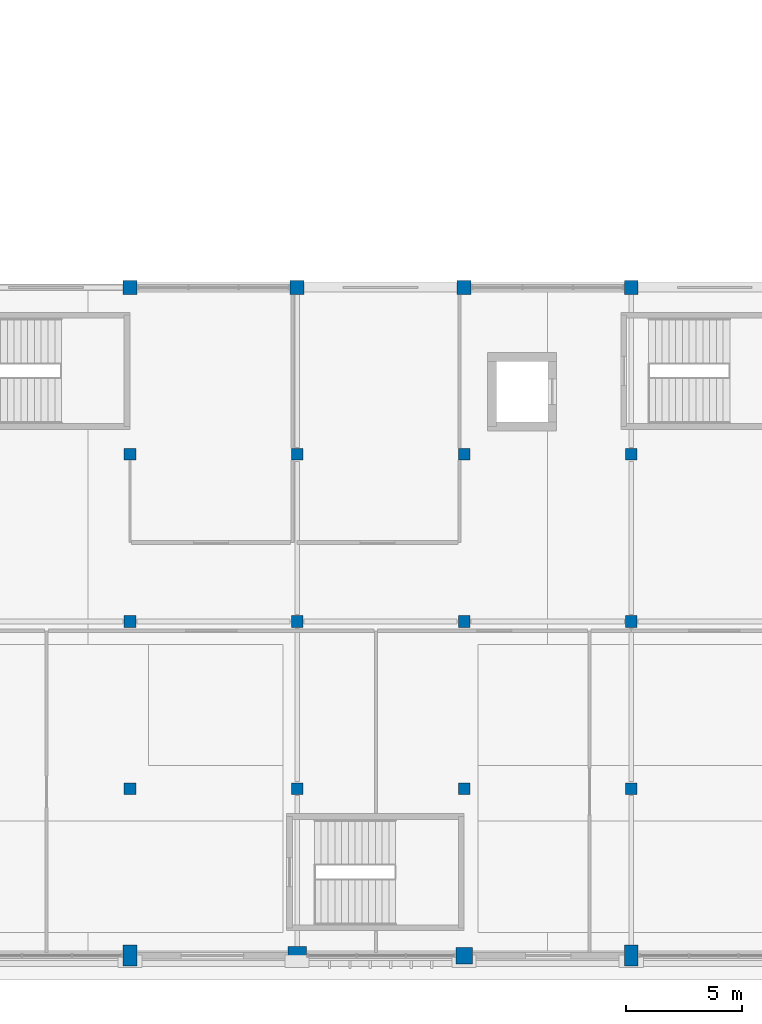
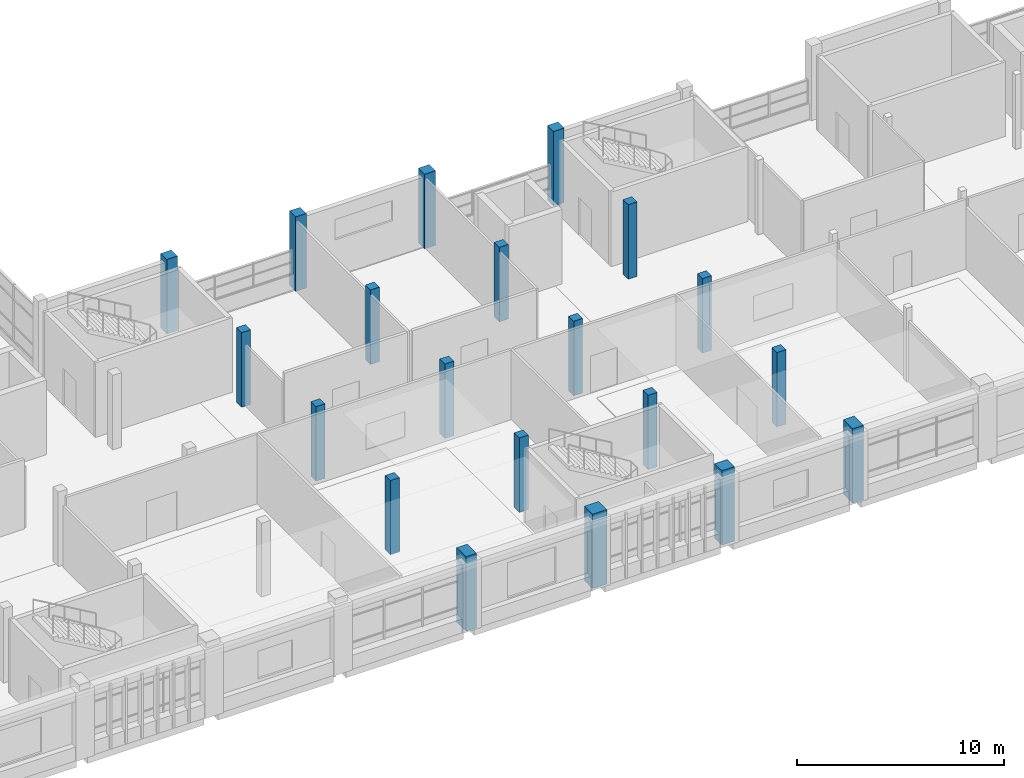
# One storey, part 2 of 71: 20 columns.
"""IFC4 building model written with IfcOpenShell, lengths in metres."""

from ifc_helpers import new_model, si_unit, direction, frame, origin, origin_2d, place, context, subcontext, project, spatial, rectangle, extrude, material, material_profile, profile_set, type_object, element, save


model = new_model("IFC4")

# Units and contexts
model_context = context("Model", 3, precision=1e-05, world=origin(), true_north=direction((0.0, 1.0)))
body_context = subcontext(model_context, "Body", "Model", "MODEL_VIEW")
ifc_project = project(units=[si_unit("LENGTHUNIT", "METRE"), si_unit("AREAUNIT", "SQUARE_METRE"), si_unit("VOLUMEUNIT", "CUBIC_METRE"), si_unit("PLANEANGLEUNIT", "RADIAN"), si_unit("MASSUNIT", "GRAM", prefix="KILO")], contexts=[model_context])

# Site, building, storey
site_placement = place(None, origin())
site = spatial("IfcSite", under=ifc_project, at=site_placement, CompositionType="ELEMENT")
building_placement = place(site_placement, origin())
building = spatial("IfcBuilding", under=site, at=building_placement, Name="Sardonyx Promenade Sports Hall", CompositionType="ELEMENT")
storey_placement = place(building_placement, frame((0.0, 0.0, 16.0)))
storey = spatial("IfcBuildingStorey", under=building, at=storey_placement, Name="L03", CompositionType="ELEMENT", Elevation=16.0)

# Columns
ifc_material_1 = material(Name="Concrete C40/50", Category="concrete")
ifc_material_profile_1 = material_profile(ifc_material_1, rectangle(XDim=0.60009765625, YDim=0.60009765625, at=origin_2d()))
ifc_profile_set_1 = profile_set([ifc_material_profile_1], Name="Concrete C40/50")
column_type_1 = type_object("IfcColumnType", Name="Col_Ext_RC600", PredefinedType="COLUMN", material=ifc_profile_set_1)
for number, where, z_axis, x_axis, name in (
    (1, (36.0, 28.800048828125, 0.0), (0.0, 0.0, 1.0), (1.0, 0.0, 0.0), "Column CE11 L03 (36.0,28.8)"),
    (2, (43.199951171875, 28.800048828125, 0.0), (0.0, 0.0, 1.0), (1.0, 0.0, 0.0), "Column CE11 L03 (43.2,28.8)"),
    (3, (50.39990234375, 28.800048828125, 0.0), (0.0, 0.0, 1.0), (1.0, 0.0, 0.0), "Column CE11 L03 (50.4,28.8)"),
    (4, (57.60009765625, 28.800048828125, 0.0), (0.0, 0.0, 1.0), (1.0, 0.0, 0.0), "Column CE11 L03 (57.6,28.8)"),
):
    element("IfcColumn", number, at=place(storey_placement, frame(where, z_axis=z_axis, x_axis=x_axis)), inside=storey, type_object=column_type_1, Name=name, PredefinedType="COLUMN", context=body_context, shape_type="SweptSolid", body=[
        extrude(rectangle(XDim=0.60009765625, YDim=0.60009765625, at=origin_2d()), origin(), (0.0, 0.0, 1.0), 4.39990234375),
    ])
ifc_material_2 = material(Name="Concrete C40/50", Category="concrete")
ifc_material_profile_2 = material_profile(ifc_material_2, rectangle(XDim=0.60009765625, YDim=0.89990234375, at=origin_2d()))
ifc_profile_set_2 = profile_set([ifc_material_profile_2], Name="Concrete C40/50")
column_type_2 = type_object("IfcColumnType", Name="Col_Ext_RC600x900", PredefinedType="COLUMN", material=ifc_profile_set_2)
for number, where, z_axis, x_axis, name in (
    (5, (36.0, 0.0, 0.0), (0.0, 0.0, 1.0), (1.0, 0.0, 0.0), "Column CE12 L03 (36.0,0.0)"),
    (6, (57.60009765625, 0.0, 0.0), (0.0, 0.0, 1.0), (1.0, 0.0, 0.0), "Column CE12 L03 (57.6,0.0)"),
):
    element("IfcColumn", number, at=place(storey_placement, frame(where, z_axis=z_axis, x_axis=x_axis)), inside=storey, type_object=column_type_2, Name=name, PredefinedType="COLUMN", context=body_context, shape_type="SweptSolid", body=[
        extrude(rectangle(XDim=0.60009765625, YDim=0.89990234375, at=origin_2d()), origin(), (0.0, 0.0, 1.0), 4.39990234375),
    ])
ifc_material_3 = material(Name="Concrete C40/50", Category="concrete")
ifc_material_profile_3 = material_profile(ifc_material_3, rectangle(XDim=0.699951171875, YDim=0.699951171875, at=origin_2d()))
ifc_profile_set_3 = profile_set([ifc_material_profile_3], Name="Concrete C40/50")
column_type_3 = type_object("IfcColumnType", Name="Col_Ext_RC700", PredefinedType="COLUMN", material=ifc_profile_set_3)
column_1_placement = place(storey_placement, frame((50.39990234375, 0.0, 0.0), z_axis=(0.0, 0.0, 1.0), x_axis=(1.0, 0.0, 0.0)))
element("IfcColumn", 7, at=column_1_placement, inside=storey, type_object=column_type_3, Name="Column CE05 L03 (50.4,0.0)", PredefinedType="COLUMN", context=body_context, shape_type="SweptSolid", body=[
    extrude(rectangle(XDim=0.699951171875, YDim=0.699951171875, at=origin_2d()), origin(), (0.0, 0.0, 1.0), 4.39990234375),
])
ifc_material_4 = material(Name="Concrete C50/60", Category="concrete")
ifc_material_profile_4 = material_profile(ifc_material_4, rectangle(XDim=0.800048828125, YDim=0.800048828125, at=origin_2d()))
ifc_profile_set_4 = profile_set([ifc_material_profile_4], Name="Concrete C50/60")
column_type_4 = type_object("IfcColumnType", Name="Col_Ext_RC800", PredefinedType="COLUMN", material=ifc_profile_set_4)
column_2_placement = place(storey_placement, frame((43.199951171875, 0.0, 0.0), z_axis=(0.0, 0.0, 1.0), x_axis=(1.0, 0.0, 0.0)))
element("IfcColumn", 8, at=column_2_placement, inside=storey, type_object=column_type_4, Name="Column CE13 L03 (43.2,0.0)", PredefinedType="COLUMN", context=body_context, shape_type="SweptSolid", body=[
    extrude(rectangle(XDim=0.800048828125, YDim=0.800048828125, at=origin_2d()), origin(), (0.0, 0.0, 1.0), 4.39990234375),
])
ifc_material_5 = material(Name="Concrete C40/50", Category="concrete")
ifc_material_profile_5 = material_profile(ifc_material_5, rectangle(XDim=0.5, YDim=0.5, at=origin_2d()))
ifc_profile_set_5 = profile_set([ifc_material_profile_5], Name="Concrete C40/50")
column_type_5 = type_object("IfcColumnType", Name="Col_Int_RC500", PredefinedType="COLUMN", material=ifc_profile_set_5)
for number, where, z_axis, x_axis, name in (
    (9, (36.0, 7.199951171875, 0.0), (0.0, 0.0, 1.0), (1.0, 0.0, 0.0), "Column CI06 L03 (36.0,7.2)"),
    (10, (36.0, 14.39990234375, 0.0), (0.0, 0.0, 1.0), (1.0, 0.0, 0.0), "Column CI06 L03 (36.0,14.4)"),
    (11, (36.0, 21.60009765625, 0.0), (0.0, 0.0, 1.0), (1.0, 0.0, 0.0), "Column CI06 L03 (36.0,21.6)"),
    (12, (43.199951171875, 7.199951171875, 0.0), (0.0, 0.0, 1.0), (1.0, 0.0, 0.0), "Column CI06 L03 (43.2,7.2)"),
    (13, (43.199951171875, 14.39990234375, 0.0), (0.0, 0.0, 1.0), (1.0, 0.0, 0.0), "Column CI06 L03 (43.2,14.4)"),
    (14, (43.199951171875, 21.60009765625, 0.0), (0.0, 0.0, 1.0), (1.0, 0.0, 0.0), "Column CI06 L03 (43.2,21.6)"),
    (15, (50.39990234375, 7.199951171875, 0.0), (0.0, 0.0, 1.0), (1.0, 0.0, 0.0), "Column CI06 L03 (50.4,7.2)"),
    (16, (50.39990234375, 14.39990234375, 0.0), (0.0, 0.0, 1.0), (1.0, 0.0, 0.0), "Column CI06 L03 (50.4,14.4)"),
    (17, (50.39990234375, 21.60009765625, 0.0), (0.0, 0.0, 1.0), (1.0, 0.0, 0.0), "Column CI06 L03 (50.4,21.6)"),
    (18, (57.60009765625, 7.199951171875, 0.0), (0.0, 0.0, 1.0), (1.0, 0.0, 0.0), "Column CI06 L03 (57.6,7.2)"),
    (19, (57.60009765625, 14.39990234375, 0.0), (0.0, 0.0, 1.0), (1.0, 0.0, 0.0), "Column CI06 L03 (57.6,14.4)"),
    (20, (57.60009765625, 21.60009765625, 0.0), (0.0, 0.0, 1.0), (1.0, 0.0, 0.0), "Column CI06 L03 (57.6,21.6)"),
):
    element("IfcColumn", number, at=place(storey_placement, frame(where, z_axis=z_axis, x_axis=x_axis)), inside=storey, type_object=column_type_5, Name=name, PredefinedType="COLUMN", context=body_context, shape_type="SweptSolid", body=[
        extrude(rectangle(XDim=0.5, YDim=0.5, at=origin_2d()), origin(), (0.0, 0.0, 1.0), 4.39990234375),
    ])

save(model, "model.ifc")
